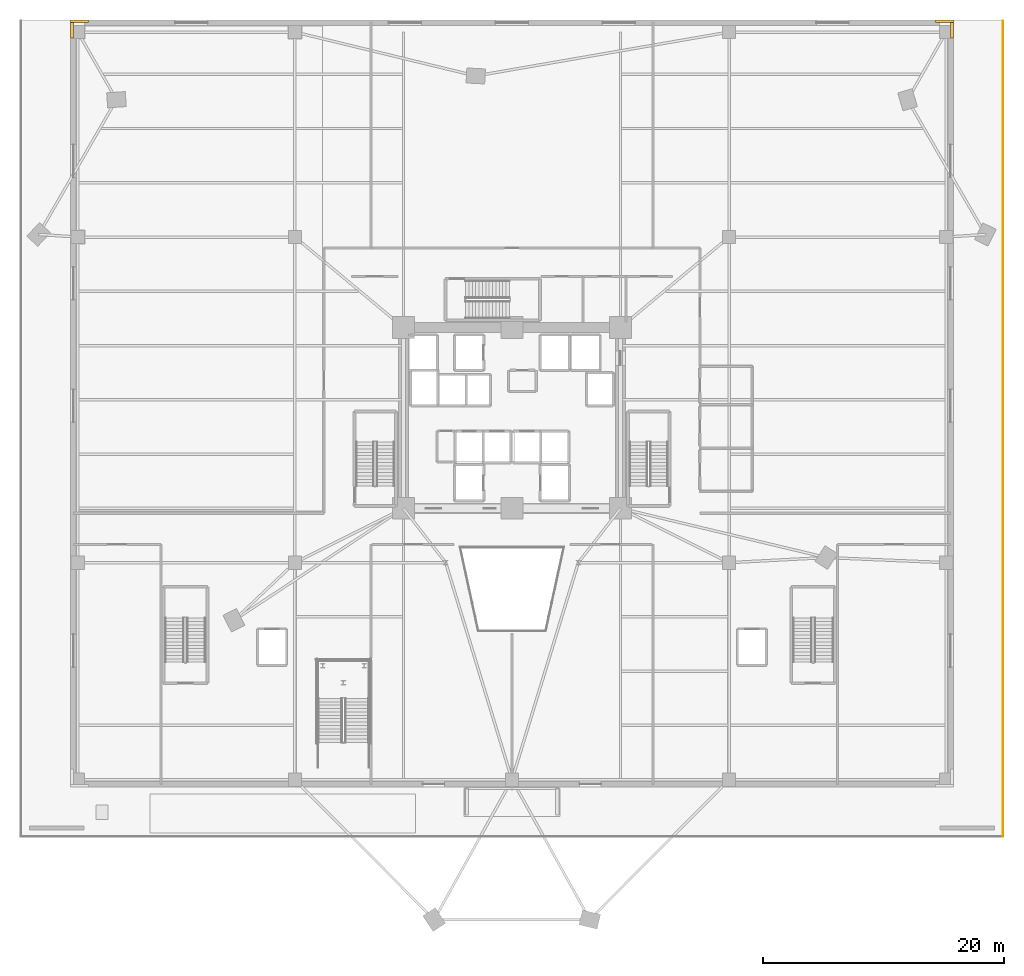
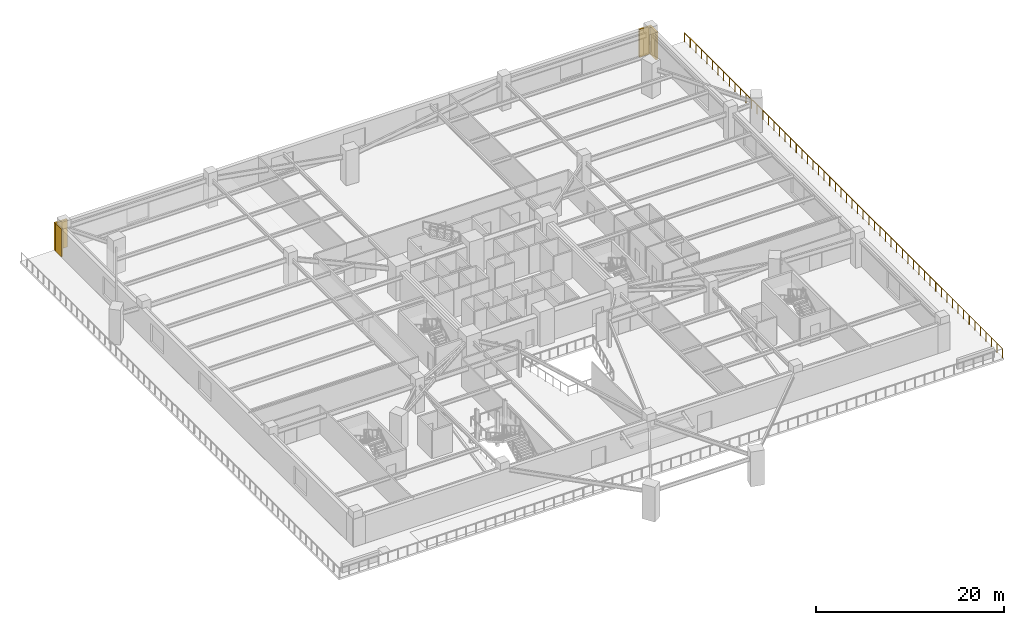
# One storey, part 19 of 19: 4 coverings, 1 railing.
"""IFC4 building model written with IfcOpenShell, lengths in metres."""

from ifc_helpers import new_model, si_unit, direction, frame, origin, origin_2d, place, context, subcontext, project, spatial, rectangle, extrude, source, transform, mapped, material, layer, layer_set, type_object, element, save


model = new_model("IFC4")

# Units and contexts
model_context = context("Model", 3, precision=1e-05, world=origin(), true_north=direction((0.0, 1.0)))
body_context = subcontext(model_context, "Body", "Model", "MODEL_VIEW")
ifc_project = project(units=[si_unit("LENGTHUNIT", "METRE"), si_unit("AREAUNIT", "SQUARE_METRE"), si_unit("VOLUMEUNIT", "CUBIC_METRE"), si_unit("PLANEANGLEUNIT", "RADIAN"), si_unit("MASSUNIT", "GRAM", prefix="KILO")], contexts=[model_context])

# Site, building, storey
site_placement = place(None, origin())
site = spatial("IfcSite", under=ifc_project, at=site_placement, CompositionType="ELEMENT")
building_placement = place(site_placement, origin())
building = spatial("IfcBuilding", under=site, at=building_placement, Name="Liaohun Quay Tower", CompositionType="ELEMENT")
storey_placement = place(building_placement, frame((0.0, 0.0, 18.89990234375)))
storey = spatial("IfcBuildingStorey", under=building, at=storey_placement, Name="L05", CompositionType="ELEMENT", Elevation=18.89990234375)

# Railing
ifc_material_1 = material(Name="Galvanised and powder-coated steel", Category="steel")
railing_type = type_object("IfcRailingType", Name="RLG-GUARD-EXT", PredefinedType="GUARDRAIL", material=ifc_material_1)
railing_placement = place(storey_placement, frame((100.699951171875, 86.89990234375, 0.0)))
element("IfcRailing", 1, at=railing_placement, inside=storey, type_object=railing_type, Name="L05 Stepped Podium Terrace Guardrail 02", PredefinedType="GUARDRAIL", context=body_context, shape_type="SweptSolid", body=[
    extrude(rectangle(XDim=0.048095703125, YDim=0.048095703125, at=origin_2d()), frame((0.0, 0.0, 1.17578125), z_axis=(0.0, -1.0, 0.0), x_axis=(1.0, 0.0, 0.0)), (0.0, 0.0, 1.0), 67.599853515625),
    extrude(rectangle(XDim=0.0419921875, YDim=0.0419921875, at=origin_2d()), origin(), (0.0, 0.0, 1.0), 1.15185546875),
    extrude(rectangle(XDim=0.0419921875, YDim=0.0419921875, at=origin_2d()), frame((0.0, -1.18603515625, 0.0)), (0.0, 0.0, 1.0), 1.15185546875),
    extrude(rectangle(XDim=0.0419921875, YDim=0.0419921875, at=origin_2d()), frame((0.0, -2.371826171875, 0.0)), (0.0, 0.0, 1.0), 1.15185546875),
    extrude(rectangle(XDim=0.0419921875, YDim=0.0419921875, at=origin_2d()), frame((0.0, -3.557861328125, 0.0)), (0.0, 0.0, 1.0), 1.15185546875),
    extrude(rectangle(XDim=0.0419921875, YDim=0.0419921875, at=origin_2d()), frame((0.0, -4.743896484375, 0.0)), (0.0, 0.0, 1.0), 1.15185546875),
    extrude(rectangle(XDim=0.0419921875, YDim=0.0419921875, at=origin_2d()), frame((0.0, -5.929931640625, 0.0)), (0.0, 0.0, 1.0), 1.15185546875),
    extrude(rectangle(XDim=0.0419921875, YDim=0.0419921875, at=origin_2d()), frame((0.0, -7.11572265625, 0.0)), (0.0, 0.0, 1.0), 1.15185546875),
    extrude(rectangle(XDim=0.0419921875, YDim=0.0419921875, at=origin_2d()), frame((0.0, -8.3017578125, 0.0)), (0.0, 0.0, 1.0), 1.15185546875),
    extrude(rectangle(XDim=0.0419921875, YDim=0.0419921875, at=origin_2d()), frame((0.0, -9.48779296875, 0.0)), (0.0, 0.0, 1.0), 1.15185546875),
    extrude(rectangle(XDim=0.0419921875, YDim=0.0419921875, at=origin_2d()), frame((0.0, -10.673583984375, 0.0)), (0.0, 0.0, 1.0), 1.15185546875),
    extrude(rectangle(XDim=0.0419921875, YDim=0.0419921875, at=origin_2d()), frame((0.0, -11.859619140625, 0.0)), (0.0, 0.0, 1.0), 1.15185546875),
    extrude(rectangle(XDim=0.0419921875, YDim=0.0419921875, at=origin_2d()), frame((0.0, -13.045654296875, 0.0)), (0.0, 0.0, 1.0), 1.15185546875),
    extrude(rectangle(XDim=0.0419921875, YDim=0.0419921875, at=origin_2d()), frame((0.0, -14.2314453125, 0.0)), (0.0, 0.0, 1.0), 1.15185546875),
    extrude(rectangle(XDim=0.0419921875, YDim=0.0419921875, at=origin_2d()), frame((0.0, -15.41748046875, 0.0)), (0.0, 0.0, 1.0), 1.15185546875),
    extrude(rectangle(XDim=0.0419921875, YDim=0.0419921875, at=origin_2d()), frame((0.0, -16.603515625, 0.0)), (0.0, 0.0, 1.0), 1.15185546875),
    extrude(rectangle(XDim=0.0419921875, YDim=0.0419921875, at=origin_2d()), frame((0.0, -17.78955078125, 0.0)), (0.0, 0.0, 1.0), 1.15185546875),
    extrude(rectangle(XDim=0.0419921875, YDim=0.0419921875, at=origin_2d()), frame((0.0, -18.975341796875, 0.0)), (0.0, 0.0, 1.0), 1.15185546875),
    extrude(rectangle(XDim=0.0419921875, YDim=0.0419921875, at=origin_2d()), frame((0.0, -20.161376953125, 0.0)), (0.0, 0.0, 1.0), 1.15185546875),
    extrude(rectangle(XDim=0.0419921875, YDim=0.0419921875, at=origin_2d()), frame((0.0, -21.347412109375, 0.0)), (0.0, 0.0, 1.0), 1.15185546875),
    extrude(rectangle(XDim=0.0419921875, YDim=0.0419921875, at=origin_2d()), frame((0.0, -22.533203125, 0.0)), (0.0, 0.0, 1.0), 1.15185546875),
    extrude(rectangle(XDim=0.0419921875, YDim=0.0419921875, at=origin_2d()), frame((0.0, -23.71923828125, 0.0)), (0.0, 0.0, 1.0), 1.15185546875),
    extrude(rectangle(XDim=0.0419921875, YDim=0.0419921875, at=origin_2d()), frame((0.0, -24.9052734375, 0.0)), (0.0, 0.0, 1.0), 1.15185546875),
    extrude(rectangle(XDim=0.0419921875, YDim=0.0419921875, at=origin_2d()), frame((0.0, -26.091064453125, 0.0)), (0.0, 0.0, 1.0), 1.15185546875),
    extrude(rectangle(XDim=0.0419921875, YDim=0.0419921875, at=origin_2d()), frame((0.0, -27.277099609375, 0.0)), (0.0, 0.0, 1.0), 1.15185546875),
    extrude(rectangle(XDim=0.0419921875, YDim=0.0419921875, at=origin_2d()), frame((0.0, -28.463134765625, 0.0)), (0.0, 0.0, 1.0), 1.15185546875),
    extrude(rectangle(XDim=0.0419921875, YDim=0.0419921875, at=origin_2d()), frame((0.0, -29.649169921875, 0.0)), (0.0, 0.0, 1.0), 1.15185546875),
    extrude(rectangle(XDim=0.0419921875, YDim=0.0419921875, at=origin_2d()), frame((0.0, -30.8349609375, 0.0)), (0.0, 0.0, 1.0), 1.15185546875),
    extrude(rectangle(XDim=0.0419921875, YDim=0.0419921875, at=origin_2d()), frame((0.0, -32.02099609375, 0.0)), (0.0, 0.0, 1.0), 1.15185546875),
    extrude(rectangle(XDim=0.0419921875, YDim=0.0419921875, at=origin_2d()), frame((0.0, -33.20703125, 0.0)), (0.0, 0.0, 1.0), 1.15185546875),
    extrude(rectangle(XDim=0.0419921875, YDim=0.0419921875, at=origin_2d()), frame((0.0, -34.392822265625, 0.0)), (0.0, 0.0, 1.0), 1.15185546875),
    extrude(rectangle(XDim=0.0419921875, YDim=0.0419921875, at=origin_2d()), frame((0.0, -35.578857421875, 0.0)), (0.0, 0.0, 1.0), 1.15185546875),
    extrude(rectangle(XDim=0.0419921875, YDim=0.0419921875, at=origin_2d()), frame((0.0, -36.764892578125, 0.0)), (0.0, 0.0, 1.0), 1.15185546875),
    extrude(rectangle(XDim=0.0419921875, YDim=0.0419921875, at=origin_2d()), frame((0.0, -37.95068359375, 0.0)), (0.0, 0.0, 1.0), 1.15185546875),
    extrude(rectangle(XDim=0.0419921875, YDim=0.0419921875, at=origin_2d()), frame((0.0, -39.13671875, 0.0)), (0.0, 0.0, 1.0), 1.15185546875),
    extrude(rectangle(XDim=0.0419921875, YDim=0.0419921875, at=origin_2d()), frame((0.0, -40.32275390625, 0.0)), (0.0, 0.0, 1.0), 1.15185546875),
    extrude(rectangle(XDim=0.0419921875, YDim=0.0419921875, at=origin_2d()), frame((0.0, -41.5087890625, 0.0)), (0.0, 0.0, 1.0), 1.15185546875),
    extrude(rectangle(XDim=0.0419921875, YDim=0.0419921875, at=origin_2d()), frame((0.0, -42.694580078125, 0.0)), (0.0, 0.0, 1.0), 1.15185546875),
    extrude(rectangle(XDim=0.0419921875, YDim=0.0419921875, at=origin_2d()), frame((0.0, -43.880615234375, 0.0)), (0.0, 0.0, 1.0), 1.15185546875),
    extrude(rectangle(XDim=0.0419921875, YDim=0.0419921875, at=origin_2d()), frame((0.0, -45.066650390625, 0.0)), (0.0, 0.0, 1.0), 1.15185546875),
    extrude(rectangle(XDim=0.0419921875, YDim=0.0419921875, at=origin_2d()), frame((0.0, -46.25244140625, 0.0)), (0.0, 0.0, 1.0), 1.15185546875),
    extrude(rectangle(XDim=0.0419921875, YDim=0.0419921875, at=origin_2d()), frame((0.0, -47.4384765625, 0.0)), (0.0, 0.0, 1.0), 1.15185546875),
    extrude(rectangle(XDim=0.0419921875, YDim=0.0419921875, at=origin_2d()), frame((0.0, -48.62451171875, 0.0)), (0.0, 0.0, 1.0), 1.15185546875),
    extrude(rectangle(XDim=0.0419921875, YDim=0.0419921875, at=origin_2d()), frame((0.0, -49.810302734375, 0.0)), (0.0, 0.0, 1.0), 1.15185546875),
    extrude(rectangle(XDim=0.0419921875, YDim=0.0419921875, at=origin_2d()), frame((0.0, -50.996337890625, 0.0)), (0.0, 0.0, 1.0), 1.15185546875),
    extrude(rectangle(XDim=0.0419921875, YDim=0.0419921875, at=origin_2d()), frame((0.0, -52.182373046875, 0.0)), (0.0, 0.0, 1.0), 1.15185546875),
    extrude(rectangle(XDim=0.0419921875, YDim=0.0419921875, at=origin_2d()), frame((0.0, -53.368408203125, 0.0)), (0.0, 0.0, 1.0), 1.15185546875),
    extrude(rectangle(XDim=0.0419921875, YDim=0.0419921875, at=origin_2d()), frame((0.0, -54.55419921875, 0.0)), (0.0, 0.0, 1.0), 1.15185546875),
    extrude(rectangle(XDim=0.0419921875, YDim=0.0419921875, at=origin_2d()), frame((0.0, -55.740234375, 0.0)), (0.0, 0.0, 1.0), 1.15185546875),
    extrude(rectangle(XDim=0.0419921875, YDim=0.0419921875, at=origin_2d()), frame((0.0, -56.92626953125, 0.0)), (0.0, 0.0, 1.0), 1.15185546875),
    extrude(rectangle(XDim=0.0419921875, YDim=0.0419921875, at=origin_2d()), frame((0.0, -58.112060546875, 0.0)), (0.0, 0.0, 1.0), 1.15185546875),
    extrude(rectangle(XDim=0.0419921875, YDim=0.0419921875, at=origin_2d()), frame((0.0, -59.298095703125, 0.0)), (0.0, 0.0, 1.0), 1.15185546875),
    extrude(rectangle(XDim=0.0419921875, YDim=0.0419921875, at=origin_2d()), frame((0.0, -60.484130859375, 0.0)), (0.0, 0.0, 1.0), 1.15185546875),
    extrude(rectangle(XDim=0.0419921875, YDim=0.0419921875, at=origin_2d()), frame((0.0, -61.669921875, 0.0)), (0.0, 0.0, 1.0), 1.15185546875),
    extrude(rectangle(XDim=0.0419921875, YDim=0.0419921875, at=origin_2d()), frame((0.0, -62.85595703125, 0.0)), (0.0, 0.0, 1.0), 1.15185546875),
    extrude(rectangle(XDim=0.0419921875, YDim=0.0419921875, at=origin_2d()), frame((0.0, -64.0419921875, 0.0)), (0.0, 0.0, 1.0), 1.15185546875),
    extrude(rectangle(XDim=0.0419921875, YDim=0.0419921875, at=origin_2d()), frame((0.0, -65.22802734375, 0.0)), (0.0, 0.0, 1.0), 1.15185546875),
    extrude(rectangle(XDim=0.0419921875, YDim=0.0419921875, at=origin_2d()), frame((0.0, -66.413818359375, 0.0)), (0.0, 0.0, 1.0), 1.15185546875),
    extrude(rectangle(XDim=0.0419921875, YDim=0.0419921875, at=origin_2d()), frame((0.0, -67.599853515625, 0.0)), (0.0, 0.0, 1.0), 1.15185546875),
])

# Coverings
ifc_material_2 = material(Name="Bush-hammered Liaodong grey granite stone cladding", Category="masonry")
ifc_layer = layer(ifc_material_2, 0.0400390625, Name="Bush-hammered Liaodong grey granite stone cladding", Category="masonry")
ifc_layer_set = layer_set([ifc_layer], Name="Bush-hammered Liaodong grey granite stone cladding")
covering_type = type_object("IfcCoveringType", Name="COV-EXT-CLD", PredefinedType="CLADDING", material=ifc_layer_set)
shared_shape_1 = source(origin(), body_context, "Body", "SweptSolid", [
    extrude(rectangle(XDim=1.5, YDim=0.219970703125, at=origin_2d()), origin(), (0.0, 0.0, 1.0), 3.60009765625),
])
for number, where, z_axis, x_axis, name in (
    (2, (95.85009765625, 86.889892578125, 0.0), (0.0, 0.0, 1.0), (1.0, 0.0, 0.0), "L05 Corner Granite Pier Cladding NE-X"),
    (3, (24.14990234375, 86.889892578125, 0.0), (0.0, 0.0, 1.0), (1.0, 0.0, 0.0), "L05 Corner Granite Pier Cladding NW-X"),
):
    element("IfcCovering", number, at=place(storey_placement, frame(where, z_axis=z_axis, x_axis=x_axis)), inside=storey, type_object=covering_type, Name=name, PredefinedType="CLADDING", context=body_context, shape_type="MappedRepresentation", body=[
        mapped(shared_shape_1, transform((0.0, 0.0, 0.0), x_axis=(1.0, 0.0, 0.0), y_axis=(0.0, 1.0, 0.0), z_axis=(0.0, 0.0, 1.0), scale=1.0)),
    ])
shared_shape_2 = source(origin(), body_context, "Body", "SweptSolid", [
    extrude(rectangle(XDim=0.219970703125, YDim=1.280029296875, at=origin_2d()), origin(), (0.0, 0.0, 1.0), 3.60009765625),
])
for number, where, z_axis, x_axis, name in (
    (4, (96.489990234375, 86.139892578125, 0.0), (0.0, 0.0, 1.0), (1.0, 0.0, 0.0), "L05 Corner Granite Pier Cladding NE-Y"),
    (5, (23.510009765625, 86.139892578125, 0.0), (0.0, 0.0, 1.0), (1.0, 0.0, 0.0), "L05 Corner Granite Pier Cladding NW-Y"),
):
    element("IfcCovering", number, at=place(storey_placement, frame(where, z_axis=z_axis, x_axis=x_axis)), inside=storey, type_object=covering_type, Name=name, PredefinedType="CLADDING", context=body_context, shape_type="MappedRepresentation", body=[
        mapped(shared_shape_2, transform((0.0, 0.0, 0.0), x_axis=(1.0, 0.0, 0.0), y_axis=(0.0, 1.0, 0.0), z_axis=(0.0, 0.0, 1.0), scale=1.0)),
    ])

save(model, "model.ifc")
